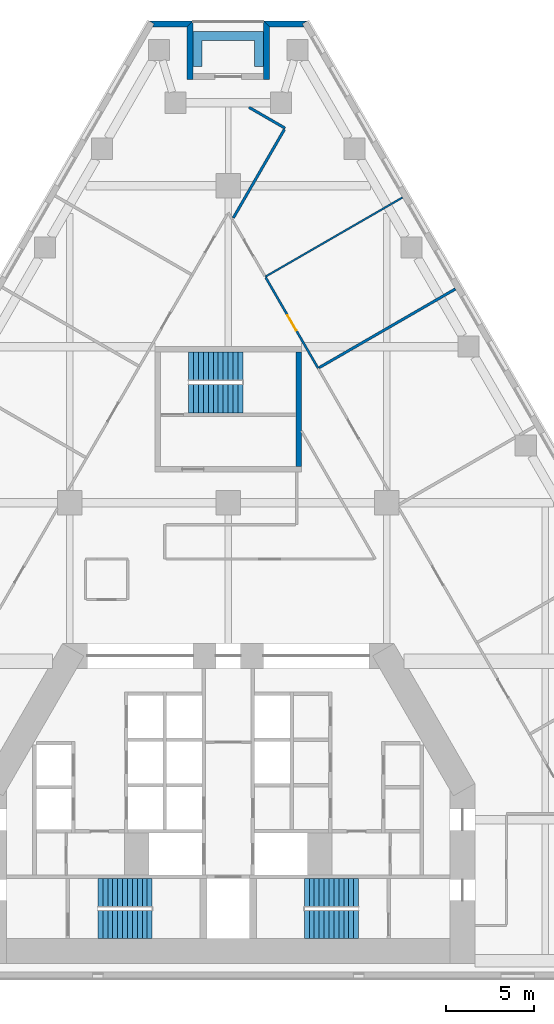
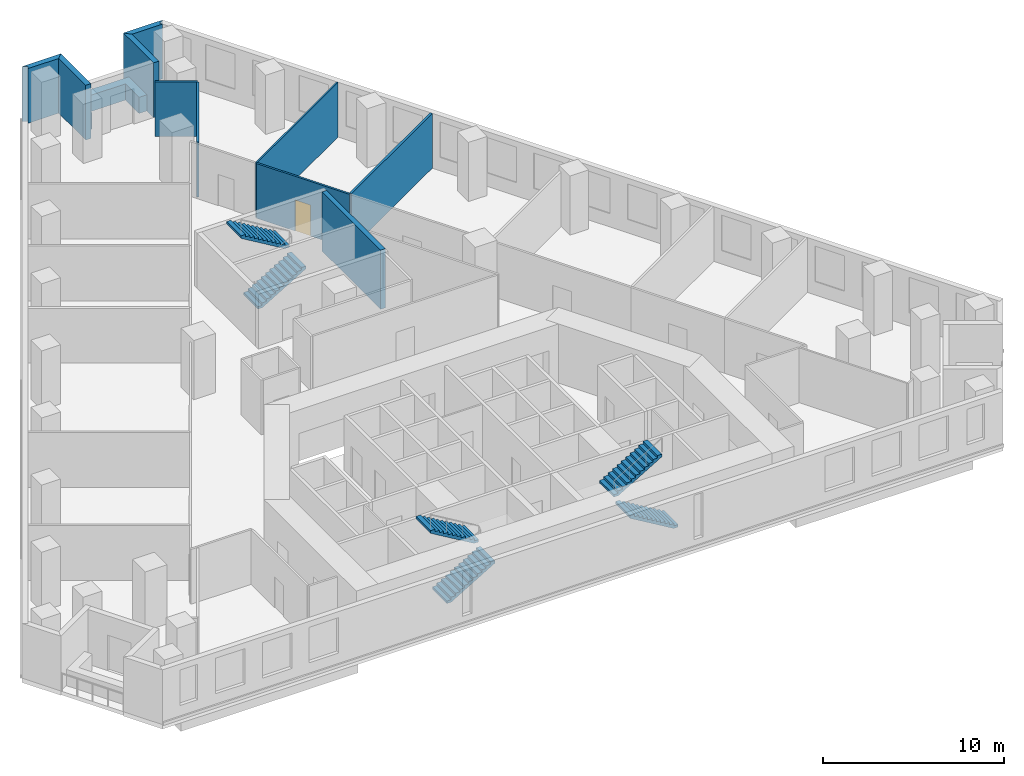
# One storey, part 8 of 9: 11 walls, 6 stair flights, 1 door, 1 opening, 3 elements without a shape of their own.
"""IFC4 building model written with IfcOpenShell, lengths in metres."""

from ifc_helpers import new_model, si_unit, direction, frame, frame_2d, origin, place, context, subcontext, project, spatial, polyline, rectangle, outline, extrude, material, layer, layer_set, type_object, element, fill, aggregate, save


model = new_model("IFC4")

# Units and contexts
model_context = context("Model", 3, precision=1e-05, world=origin(), true_north=direction((0.0, 1.0)))
body_context = subcontext(model_context, "Body", "Model", "MODEL_VIEW")
ifc_project = project(units=[si_unit("LENGTHUNIT", "METRE"), si_unit("AREAUNIT", "SQUARE_METRE"), si_unit("VOLUMEUNIT", "CUBIC_METRE"), si_unit("PLANEANGLEUNIT", "RADIAN"), si_unit("MASSUNIT", "GRAM", prefix="KILO")], contexts=[model_context])

# Site, building, storey
site_placement = place(None, origin())
site = spatial("IfcSite", under=ifc_project, at=site_placement, CompositionType="ELEMENT")
building_placement = place(site_placement, origin())
building = spatial("IfcBuilding", under=site, at=building_placement, Name="Fogline Exchange Tower", CompositionType="ELEMENT")
storey_placement = place(building_placement, frame((0.0, 0.0, 68.89990234375)))
storey = spatial("IfcBuildingStorey", under=building, at=storey_placement, Name="L14", CompositionType="ELEMENT", Elevation=68.89990234375)

# Walls
ifc_material_1 = material(Name="Concrete C40", Category="concrete")
ifc_layer_1 = layer(ifc_material_1, 0.300048828125)
ifc_layer_set_1 = layer_set([ifc_layer_1], Name="CW30")
wall_type_1 = type_object("IfcWallType", Name="CW30", PredefinedType="SOLIDWALL", material=ifc_layer_set_1)
wall_1_placement = place(storey_placement, frame((4.0, 29.056884765625, -0.2998046875), z_axis=(0.0, 0.0, 1.0), x_axis=(0.0, 1.0, 0.0)))
element("IfcWall", 1, at=wall_1_placement, inside=storey, type_object=wall_type_1, Name="Stair enclosure wall ST3", PredefinedType="SOLIDWALL", context=body_context, shape_type="SweptSolid", body=[
    extrude(rectangle(XDim=6.5, YDim=0.300048828125, at=frame_2d((3.25, 0.0))), origin(), (0.0, 0.0, 1.0), 4.0),
])
ifc_material_2 = material(Name="Brick masonry", Category="masonry")
ifc_layer_2 = layer(ifc_material_2, 0.340087890625)
ifc_layer_set_2 = layer_set([ifc_layer_2], Name="FW1")
wall_type_2 = type_object("IfcWallType", Name="FW1", PredefinedType="SOLIDWALL", material=ifc_layer_set_2)
wall_2_placement = place(storey_placement, origin())
element("IfcWall", 2, at=wall_2_placement, inside=storey, type_object=wall_type_2, Name="Brick wall L14 N-c1", PredefinedType="SOLIDWALL", context=body_context, shape_type="SweptSolid", body=[
    extrude(outline(polyline([(1.9990234375, 54.357177734375), (4.5009765625, 54.357177734375), (4.501220703125, 54.356689453125), (4.206298828125, 54.1865234375), (4.3046875, 54.01611328125), (2.33984375, 54.01611328125), (1.998779296875, 54.35693359375), (1.9990234375, 54.357177734375)])), origin(), (0.0, 0.0, 1.0), 3.7001953125),
])
wall_3_placement = place(storey_placement, origin())
element("IfcWall", 3, at=wall_3_placement, inside=storey, type_object=wall_type_2, Name="Brick wall L14 N-s1", PredefinedType="SOLIDWALL", context=body_context, shape_type="SweptSolid", body=[
    extrude(outline(polyline([(2.340576171875, 51.01611328125), (1.99951171875, 51.01611328125), (1.99951171875, 54.357666015625), (1.999755859375, 54.35791015625), (2.340576171875, 54.016845703125), (2.340576171875, 51.01611328125)])), origin(), (0.0, 0.0, 1.0), 3.7001953125),
])
wall_4_placement = place(storey_placement, origin())
element("IfcWall", 4, at=wall_4_placement, inside=storey, type_object=wall_type_2, Name="Brick wall L14 N-s2", PredefinedType="SOLIDWALL", context=body_context, shape_type="SweptSolid", body=[
    extrude(outline(polyline([(-1.99951171875, 54.357666015625), (-1.99951171875, 51.01611328125), (-2.340576171875, 51.01611328125), (-2.340576171875, 54.016845703125), (-1.999755859375, 54.35791015625), (-1.99951171875, 54.357666015625)])), origin(), (0.0, 0.0, 1.0), 3.7001953125),
])
wall_5_placement = place(storey_placement, origin())
element("IfcWall", 5, at=wall_5_placement, inside=storey, type_object=wall_type_2, Name="Brick wall L14 N-c2", PredefinedType="SOLIDWALL", context=body_context, shape_type="SweptSolid", body=[
    extrude(outline(polyline([(-4.3046875, 54.01611328125), (-4.206298828125, 54.1865234375), (-4.501220703125, 54.356689453125), (-4.5009765625, 54.357177734375), (-1.9990234375, 54.357177734375), (-1.998779296875, 54.35693359375), (-2.33984375, 54.01611328125), (-4.3046875, 54.01611328125)])), origin(), (0.0, 0.0, 1.0), 3.7001953125),
])
ifc_material_3 = material(Name="Concrete C30", Category="concrete")
ifc_layer_3 = layer(ifc_material_3, 0.199951171875)
ifc_layer_set_3 = layer_set([ifc_layer_3], Name="PL1")
wall_type_3 = type_object("IfcWallType", Name="PL1", PredefinedType="USERDEFINED", material=ifc_layer_set_3)
wall_6_placement = place(storey_placement, origin())
element("IfcWall", 6, at=wall_6_placement, inside=storey, type_object=wall_type_3, Name="PLANTER balcony L14 N", ObjectType="PLANTER", PredefinedType="USERDEFINED", context=body_context, shape_type="SweptSolid", body=[
    extrude(outline(polyline([(-1.5, 53.756591796875), (-2.0, 53.756591796875), (-2.0, 53.256591796875), (-2.0, 51.756591796875), (-1.5, 51.756591796875), (-1.5, 53.256591796875), (1.5, 53.256591796875), (1.5, 51.756591796875), (2.0, 51.756591796875), (2.0, 53.256591796875), (2.0, 53.756591796875), (1.5, 53.756591796875), (-1.5, 53.756591796875)])), origin(), (0.0, 0.0, 1.0), 1.10009765625),
])
ifc_material_4 = material(Name="Plasterboard partition, 2 layers each side on steel studs", Category="steel")
ifc_layer_4 = layer(ifc_material_4, 0.10009765625)
ifc_layer_set_4 = layer_set([ifc_layer_4], Name="PW1")
wall_type_4 = type_object("IfcWallType", Name="PW1", PredefinedType="PARTITIONING", material=ifc_layer_set_4)
wall_7_placement = place(storey_placement, frame((2.102294921875, 39.829833984375, 0.0), z_axis=(0.0, 0.0, 1.0), x_axis=(0.866024315419, 0.5000018851, 0.0)))
element("IfcWall", 7, at=wall_7_placement, inside=storey, type_object=wall_type_4, Name="wall-L14-W037", PredefinedType="PARTITIONING", context=body_context, shape_type="SweptSolid", body=[
    extrude(rectangle(XDim=9.0, YDim=0.10009765625, at=frame_2d((4.5, 0.0))), origin(), (0.0, 0.0, 1.0), 3.7001953125),
])

# Wall, opening, door
ifc_material_5 = material(Name="Plasterboard corridor partition with mineral wool, 2 layers each side")
ifc_layer_5 = layer(ifc_material_5, 0.125)
ifc_layer_set_5 = layer_set([ifc_layer_5], Name="PW2")
wall_type_5 = type_object("IfcWallType", Name="PW2", PredefinedType="PARTITIONING", material=ifc_layer_set_5)
wall_8_placement = place(storey_placement, frame((2.12744140625, 39.7861328125, 0.0), z_axis=(0.0, 0.0, 1.0), x_axis=(0.500000694566, -0.866025002776, 0.0)))
wall_8 = element("IfcWall", 8, at=wall_8_placement, inside=storey, type_object=wall_type_5, Name="wall-L14-W012", PredefinedType="PARTITIONING", context=body_context, shape_type="SweptSolid", body=[
    extrude(rectangle(XDim=5.94970703125, YDim=0.125, at=frame_2d((2.974853515625, 0.0))), origin(), (0.0, 0.0, 1.0), 3.7001953125),
])
opening_placement = place(wall_8_placement, frame((2.474853515625, 0.0, 0.0)))
opening = element("IfcOpeningElement", 9, at=opening_placement, cuts=wall_8, Name="Opening T04-D007", PredefinedType="OPENING", context=body_context, shape_type="SweptSolid", body=[
    extrude(rectangle(XDim=1.0, YDim=2.10009765625, at=frame_2d((0.5, 1.050048828125))), frame((0.0, 0.072509765625, 0.0), z_axis=(0.0, -1.0, 0.0), x_axis=(1.0, 0.0, 0.0)), (0.0, 0.0, 1.0), 0.14501953125),
])
ifc_material_6 = material(Name="Fire-rated timber door leaf with steel frame", Category="steel")
door_type = type_object("IfcDoorType", Name="D3", OperationType="SINGLE_SWING_LEFT", PredefinedType="DOOR", material=ifc_material_6)
door_placement = place(opening_placement, origin())
door = element("IfcDoor", 10, at=door_placement, inside=storey, type_object=door_type, Name="door-L14-D007", OperationType="SINGLE_SWING_LEFT", OverallHeight=2.10009765625, OverallWidth=1.0, PredefinedType="DOOR", context=body_context, shape_type="SweptSolid", body=[
    extrude(rectangle(XDim=1.0, YDim=2.10009765625, at=frame_2d((0.5, 1.050048828125))), frame((0.0, 0.02490234375, 0.0), z_axis=(0.0, -1.0, 0.0), x_axis=(1.0, 0.0, 0.0)), (0.0, 0.0, 1.0), 0.050048828125),
])
fill(opening, door)

# Walls
ifc_material_7 = material(Name="Plasterboard demising partition with mineral wool and acoustic board")
ifc_layer_6 = layer(ifc_material_7, 0.14990234375)
ifc_layer_set_6 = layer_set([ifc_layer_6], Name="PW3")
wall_type_6 = type_object("IfcWallType", Name="PW3", PredefinedType="PARTITIONING", material=ifc_layer_set_6)
wall_9_placement = place(storey_placement, frame((5.15625, 34.664794921875, 0.0), z_axis=(0.0, 0.0, 1.0), x_axis=(0.866029105215, 0.49999358888, 0.0)))
element("IfcWall", 11, at=wall_9_placement, inside=storey, type_object=wall_type_6, Name="wall-L14-W036", PredefinedType="PARTITIONING", context=body_context, shape_type="SweptSolid", body=[
    extrude(rectangle(XDim=8.9375, YDim=0.14990234375, at=frame_2d((4.46875, 0.0))), origin(), (0.0, 0.0, 1.0), 3.7001953125),
])
wall_10_placement = place(storey_placement, frame((0.288818359375, 43.17138671875, 0.0), z_axis=(0.0, 0.0, 1.0), x_axis=(0.500006411147, 0.866021702275, 0.0)))
element("IfcWall", 12, at=wall_10_placement, inside=storey, type_object=wall_type_6, Name="wall-L14-W038", PredefinedType="PARTITIONING", context=body_context, shape_type="SweptSolid", body=[
    extrude(rectangle(XDim=5.80517578125, YDim=0.14990234375, at=frame_2d((2.902587890625, 0.0))), origin(), (0.0, 0.0, 1.0), 3.7001953125),
])
wall_11_placement = place(storey_placement, frame((3.22900390625, 48.263671875, 0.0), z_axis=(0.0, 0.0, 1.0), x_axis=(-0.865991875323, 0.500058068503, 0.0)))
element("IfcWall", 13, at=wall_11_placement, inside=storey, type_object=wall_type_6, Name="wall-L14-W039", PredefinedType="PARTITIONING", context=body_context, shape_type="SweptSolid", body=[
    extrude(rectangle(XDim=2.371826171875, YDim=0.14990234375, at=frame_2d((1.18603515625, 0.0))), origin(), (0.0, 0.0, 1.0), 3.7001953125),
])

# Stair, stair flights
stair_type = type_object("IfcStairType", Name="STR24-1667", PredefinedType="HALF_TURN_STAIR", material=ifc_material_1)
stair_1_placement = place(storey_placement, origin())
stair_1 = element("IfcStair", 14, at=stair_1_placement, inside=storey, type_object=stair_type, Name="Stair ST1", PredefinedType="HALF_TURN_STAIR")
stair_flight_type = type_object("IfcStairFlightType", Name="SF12-1667", PredefinedType="STRAIGHT", material=ifc_material_1)
stair_flight_1_placement = place(storey_placement, frame((-7.39990234375, 3.050048828125, 0.0), z_axis=(0.0, 0.0, 1.0), x_axis=(1.0, 0.0, 0.0)))
stair_flight_1 = element("IfcStairFlight", 15, at=stair_flight_1_placement, type_object=stair_flight_type, Name="ST1 flight 1", NumberOfRisers=12, NumberOfTreads=11, PredefinedType="STRAIGHT", RiserHeight=0.166666667, TreadLength=0.28, context=body_context, shape_type="SweptSolid", body=[
    extrude(outline(polyline([(0.0, 0.0), (0.0, 0.166748046875), (0.280029296875, 0.166748046875), (0.280029296875, 0.333251953125), (0.56005859375, 0.333251953125), (0.56005859375, 0.5), (0.840087890625, 0.5), (0.840087890625, 0.666748046875), (1.1201171875, 0.666748046875), (1.1201171875, 0.833251953125), (1.39990234375, 0.833251953125), (1.39990234375, 1.0), (1.679931640625, 1.0), (1.679931640625, 1.166748046875), (1.9599609375, 1.166748046875), (1.9599609375, 1.333251953125), (2.239990234375, 1.333251953125), (2.239990234375, 1.5), (2.52001953125, 1.5), (2.52001953125, 1.666748046875), (2.800048828125, 1.666748046875), (2.800048828125, 1.833251953125), (3.080078125, 1.833251953125), (3.080078125, 2.0), (3.080078125, 1.658935546875), (0.29296875, 0.0), (0.0, 0.0)])), frame((0.0, 0.800048828125, 0.0), z_axis=(0.0, -1.0, 0.0), x_axis=(1.0, 0.0, 0.0)), (0.0, 0.0, 1.0), 1.60009765625),
])
stair_flight_2_placement = place(storey_placement, frame((-4.320068359375, 4.85009765625, 2.0), z_axis=(0.0, 0.0, 1.0), x_axis=(-1.0, 0.0, 0.0)))
stair_flight_2 = element("IfcStairFlight", 16, at=stair_flight_2_placement, type_object=stair_flight_type, Name="ST1 flight 2", NumberOfRisers=12, NumberOfTreads=11, PredefinedType="STRAIGHT", RiserHeight=0.166666667, TreadLength=0.28, context=body_context, shape_type="SweptSolid", body=[
    extrude(outline(polyline([(0.0, 0.0), (0.0, 0.166748046875), (0.280029296875, 0.166748046875), (0.280029296875, 0.333251953125), (0.56005859375, 0.333251953125), (0.56005859375, 0.5), (0.840087890625, 0.5), (0.840087890625, 0.666748046875), (1.1201171875, 0.666748046875), (1.1201171875, 0.833251953125), (1.39990234375, 0.833251953125), (1.39990234375, 1.0), (1.679931640625, 1.0), (1.679931640625, 1.166748046875), (1.9599609375, 1.166748046875), (1.9599609375, 1.333251953125), (2.239990234375, 1.333251953125), (2.239990234375, 1.5), (2.52001953125, 1.5), (2.52001953125, 1.666748046875), (2.800048828125, 1.666748046875), (2.800048828125, 1.833251953125), (3.080078125, 1.833251953125), (3.080078125, 2.0), (3.080078125, 1.658935546875), (0.29296875, 0.0), (0.0, 0.0)])), frame((0.0, 0.800048828125, 0.0), z_axis=(0.0, -1.0, 0.0), x_axis=(1.0, 0.0, 0.0)), (0.0, 0.0, 1.0), 1.60009765625),
])
aggregate(stair_1, [stair_flight_1, stair_flight_2])

stair_2_placement = place(storey_placement, origin())
stair_2 = element("IfcStair", 17, at=stair_2_placement, inside=storey, type_object=stair_type, Name="Stair ST2", PredefinedType="HALF_TURN_STAIR")
stair_flight_3_placement = place(storey_placement, frame((7.39990234375, 3.050048828125, 0.0), z_axis=(0.0, 0.0, 1.0), x_axis=(-1.0, 0.0, 0.0)))
stair_flight_3 = element("IfcStairFlight", 18, at=stair_flight_3_placement, type_object=stair_flight_type, Name="ST2 flight 1", NumberOfRisers=12, NumberOfTreads=11, PredefinedType="STRAIGHT", RiserHeight=0.166666667, TreadLength=0.28, context=body_context, shape_type="SweptSolid", body=[
    extrude(outline(polyline([(0.0, 0.0), (0.0, 0.166748046875), (0.280029296875, 0.166748046875), (0.280029296875, 0.333251953125), (0.56005859375, 0.333251953125), (0.56005859375, 0.5), (0.840087890625, 0.5), (0.840087890625, 0.666748046875), (1.1201171875, 0.666748046875), (1.1201171875, 0.833251953125), (1.39990234375, 0.833251953125), (1.39990234375, 1.0), (1.679931640625, 1.0), (1.679931640625, 1.166748046875), (1.9599609375, 1.166748046875), (1.9599609375, 1.333251953125), (2.239990234375, 1.333251953125), (2.239990234375, 1.5), (2.52001953125, 1.5), (2.52001953125, 1.666748046875), (2.800048828125, 1.666748046875), (2.800048828125, 1.833251953125), (3.080078125, 1.833251953125), (3.080078125, 2.0), (3.080078125, 1.658935546875), (0.29296875, 0.0), (0.0, 0.0)])), frame((0.0, 0.800048828125, 0.0), z_axis=(0.0, -1.0, 0.0), x_axis=(1.0, 0.0, 0.0)), (0.0, 0.0, 1.0), 1.60009765625),
])
stair_flight_4_placement = place(storey_placement, frame((4.320068359375, 4.85009765625, 2.0), z_axis=(0.0, 0.0, 1.0), x_axis=(1.0, 0.0, 0.0)))
stair_flight_4 = element("IfcStairFlight", 19, at=stair_flight_4_placement, type_object=stair_flight_type, Name="ST2 flight 2", NumberOfRisers=12, NumberOfTreads=11, PredefinedType="STRAIGHT", RiserHeight=0.166666667, TreadLength=0.28, context=body_context, shape_type="SweptSolid", body=[
    extrude(outline(polyline([(0.0, 0.0), (0.0, 0.166748046875), (0.280029296875, 0.166748046875), (0.280029296875, 0.333251953125), (0.56005859375, 0.333251953125), (0.56005859375, 0.5), (0.840087890625, 0.5), (0.840087890625, 0.666748046875), (1.1201171875, 0.666748046875), (1.1201171875, 0.833251953125), (1.39990234375, 0.833251953125), (1.39990234375, 1.0), (1.679931640625, 1.0), (1.679931640625, 1.166748046875), (1.9599609375, 1.166748046875), (1.9599609375, 1.333251953125), (2.239990234375, 1.333251953125), (2.239990234375, 1.5), (2.52001953125, 1.5), (2.52001953125, 1.666748046875), (2.800048828125, 1.666748046875), (2.800048828125, 1.833251953125), (3.080078125, 1.833251953125), (3.080078125, 2.0), (3.080078125, 1.658935546875), (0.29296875, 0.0), (0.0, 0.0)])), frame((0.0, 0.800048828125, 0.0), z_axis=(0.0, -1.0, 0.0), x_axis=(1.0, 0.0, 0.0)), (0.0, 0.0, 1.0), 1.60009765625),
])
aggregate(stair_2, [stair_flight_3, stair_flight_4])

stair_3_placement = place(storey_placement, origin())
stair_3 = element("IfcStair", 20, at=stair_3_placement, inside=storey, type_object=stair_type, Name="Stair ST3", PredefinedType="HALF_TURN_STAIR")
stair_flight_5_placement = place(storey_placement, frame((-2.25, 32.906982421875, 0.0), z_axis=(0.0, 0.0, 1.0), x_axis=(1.0, 0.0, 0.0)))
stair_flight_5 = element("IfcStairFlight", 21, at=stair_flight_5_placement, type_object=stair_flight_type, Name="ST3 flight 1", NumberOfRisers=12, NumberOfTreads=11, PredefinedType="STRAIGHT", RiserHeight=0.166666667, TreadLength=0.28, context=body_context, shape_type="SweptSolid", body=[
    extrude(outline(polyline([(0.0, 0.0), (0.0, 0.166748046875), (0.280029296875, 0.166748046875), (0.280029296875, 0.333251953125), (0.56005859375, 0.333251953125), (0.56005859375, 0.5), (0.840087890625, 0.5), (0.840087890625, 0.666748046875), (1.1201171875, 0.666748046875), (1.1201171875, 0.833251953125), (1.39990234375, 0.833251953125), (1.39990234375, 1.0), (1.679931640625, 1.0), (1.679931640625, 1.166748046875), (1.9599609375, 1.166748046875), (1.9599609375, 1.333251953125), (2.239990234375, 1.333251953125), (2.239990234375, 1.5), (2.52001953125, 1.5), (2.52001953125, 1.666748046875), (2.800048828125, 1.666748046875), (2.800048828125, 1.833251953125), (3.080078125, 1.833251953125), (3.080078125, 2.0), (3.080078125, 1.658935546875), (0.29296875, 0.0), (0.0, 0.0)])), frame((0.0, 0.800048828125, 0.0), z_axis=(0.0, -1.0, 0.0), x_axis=(1.0, 0.0, 0.0)), (0.0, 0.0, 1.0), 1.60009765625),
])
stair_flight_6_placement = place(storey_placement, frame((0.830078125, 34.757080078125, 2.0), z_axis=(0.0, 0.0, 1.0), x_axis=(-1.0, 0.0, 0.0)))
stair_flight_6 = element("IfcStairFlight", 22, at=stair_flight_6_placement, type_object=stair_flight_type, Name="ST3 flight 2", NumberOfRisers=12, NumberOfTreads=11, PredefinedType="STRAIGHT", RiserHeight=0.166666667, TreadLength=0.28, context=body_context, shape_type="SweptSolid", body=[
    extrude(outline(polyline([(0.0, 0.0), (0.0, 0.166748046875), (0.280029296875, 0.166748046875), (0.280029296875, 0.333251953125), (0.56005859375, 0.333251953125), (0.56005859375, 0.5), (0.840087890625, 0.5), (0.840087890625, 0.666748046875), (1.1201171875, 0.666748046875), (1.1201171875, 0.833251953125), (1.39990234375, 0.833251953125), (1.39990234375, 1.0), (1.679931640625, 1.0), (1.679931640625, 1.166748046875), (1.9599609375, 1.166748046875), (1.9599609375, 1.333251953125), (2.239990234375, 1.333251953125), (2.239990234375, 1.5), (2.52001953125, 1.5), (2.52001953125, 1.666748046875), (2.800048828125, 1.666748046875), (2.800048828125, 1.833251953125), (3.080078125, 1.833251953125), (3.080078125, 2.0), (3.080078125, 1.658935546875), (0.29296875, 0.0), (0.0, 0.0)])), frame((0.0, 0.800048828125, 0.0), z_axis=(0.0, -1.0, 0.0), x_axis=(1.0, 0.0, 0.0)), (0.0, 0.0, 1.0), 1.60009765625),
])
aggregate(stair_3, [stair_flight_5, stair_flight_6])

save(model, "model.ifc")
